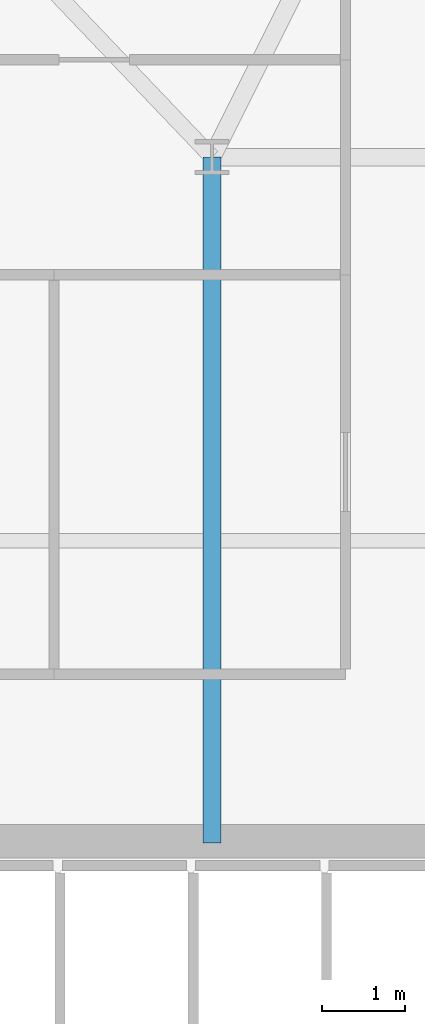
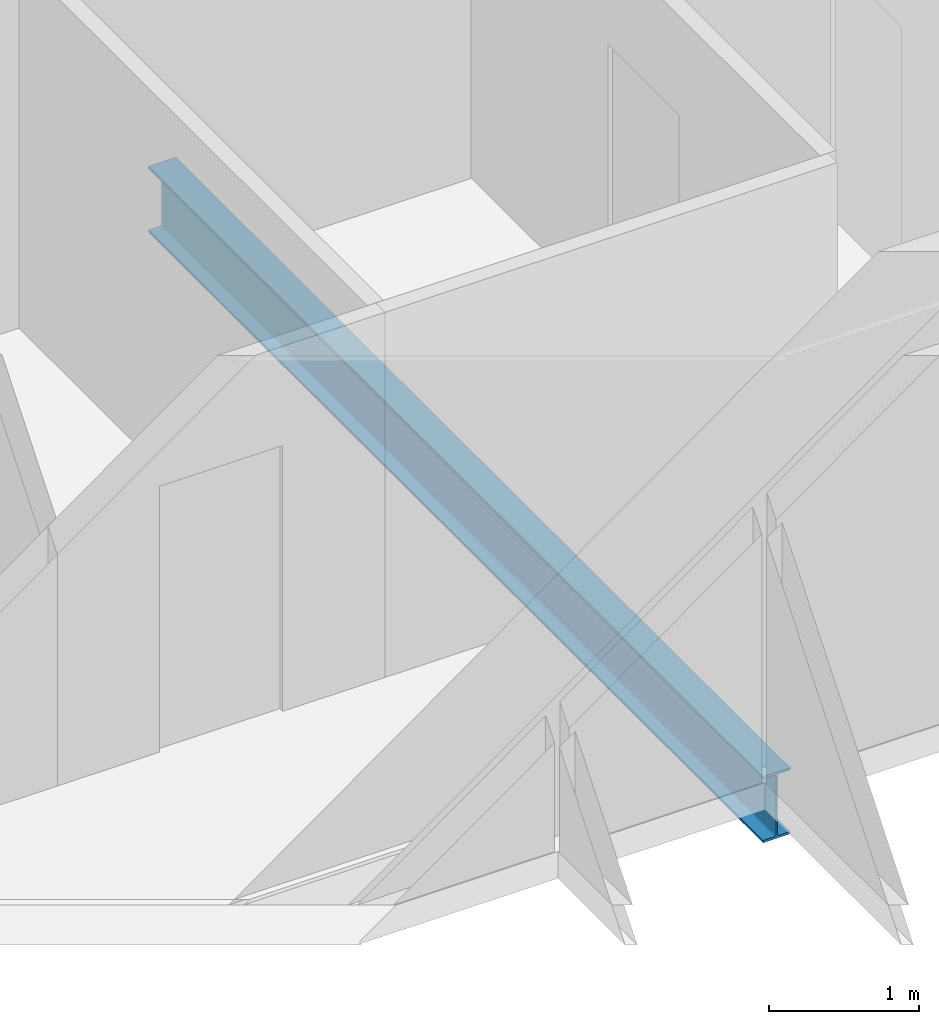
# One storey, part 5 of 33: 1 beam.
"""IFC4 building model written with IfcOpenShell, lengths in metres."""

from ifc_helpers import new_model, si_unit, direction, frame, origin, origin_2d, place, context, subcontext, project, spatial, i_section, extrude, material, material_profile, profile_set, type_object, element, save


model = new_model("IFC4")

# Units and contexts
model_context = context("Model", 3, precision=1e-05, world=origin(), true_north=direction((0.0, 1.0)))
body_context = subcontext(model_context, "Body", "Model", "MODEL_VIEW")
ifc_project = project(units=[si_unit("LENGTHUNIT", "METRE"), si_unit("AREAUNIT", "SQUARE_METRE"), si_unit("VOLUMEUNIT", "CUBIC_METRE"), si_unit("PLANEANGLEUNIT", "RADIAN"), si_unit("MASSUNIT", "GRAM", prefix="KILO")], contexts=[model_context])

# Site, building, storey
site_placement = place(None, origin())
site = spatial("IfcSite", under=ifc_project, at=site_placement, CompositionType="ELEMENT")
building_placement = place(site_placement, origin())
building = spatial("IfcBuilding", under=site, at=building_placement, Name="Ndaravel Arena Tower", CompositionType="ELEMENT")
storey_placement = place(building_placement, frame((0.0, 0.0, 184.0)))
storey = spatial("IfcBuildingStorey", under=building, at=storey_placement, Name="L44", CompositionType="ELEMENT", Elevation=184.0)

# Beam
ifc_material = material(Name="Steel S355", Category="steel")
ifc_material_profile = material_profile(ifc_material, i_section(OverallWidth=0.210693359375, OverallDepth=0.53955078125, WebThickness=0.01171875, FlangeThickness=0.018798828125, FilletRadius=0.0126953125, at=origin_2d()), Name="UB 533x210x109")
ifc_profile_set = profile_set([ifc_material_profile], Name="Steel S355")
beam_type = type_object("IfcBeamType", Name="BM-GIRD-UB533", PredefinedType="BEAM", material=ifc_profile_set)
beam_placement = place(storey_placement, frame((34.199951171875, 14.97998046875, -0.48974609375), z_axis=(0.0, 1.0, 0.0), x_axis=(-1.0, 0.0, 0.0)))
element("IfcBeam", 1, at=beam_placement, inside=storey, type_object=beam_type, Name="L44 Spine Link Girder SLG-01", PredefinedType="BEAM", context=body_context, shape_type="SweptSolid", body=[
    extrude(i_section(OverallWidth=0.210693359375, OverallDepth=0.53955078125, WebThickness=0.01171875, FlangeThickness=0.018798828125, FilletRadius=0.0126953125, at=origin_2d()), origin(), (0.0, 0.0, 1.0), 8.219970703125),
])

save(model, "model.ifc")
